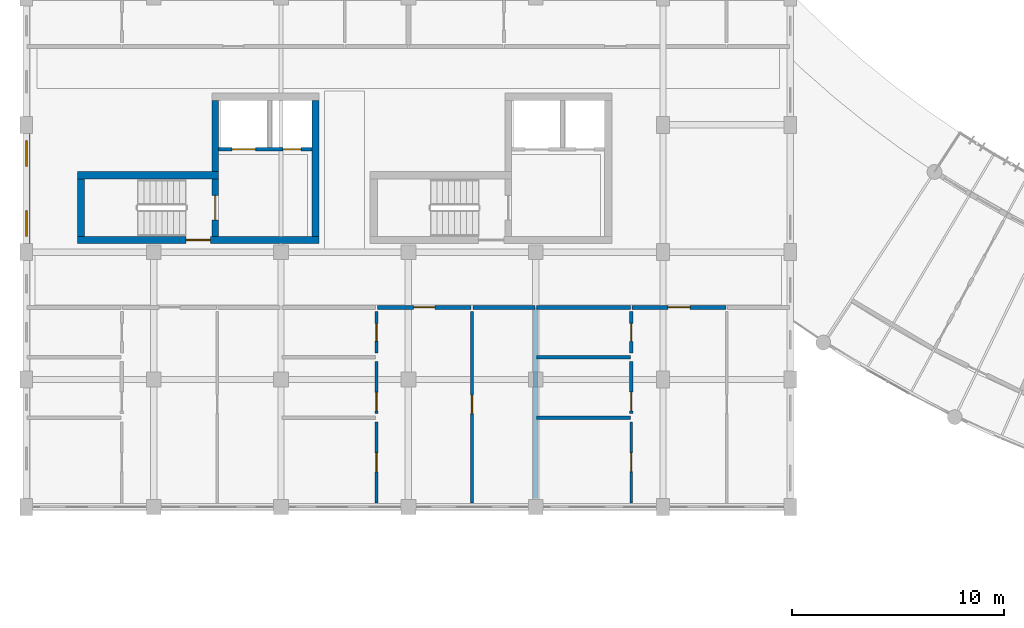
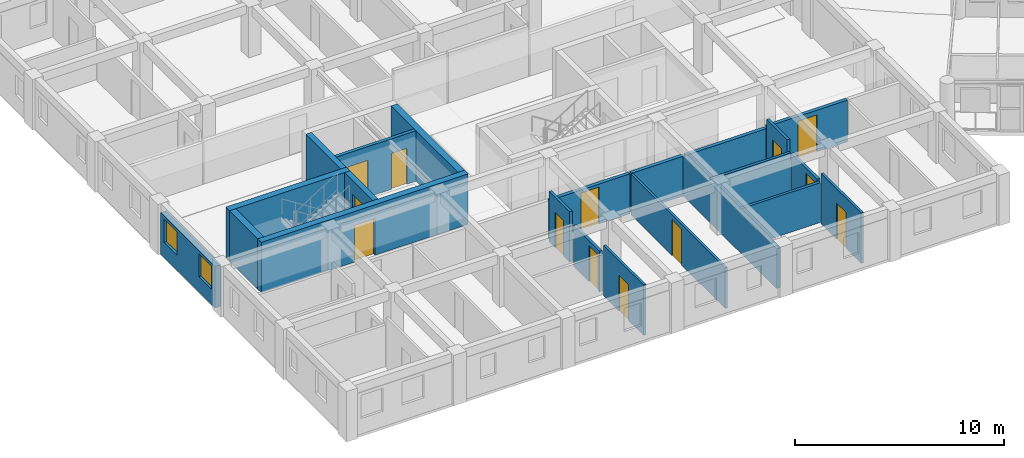
# One storey, part 87 of 137: 22 walls, 13 doors, 2 windows, 15 openings.
"""IFC4 building model written with IfcOpenShell, lengths in metres."""

import ifcopenshell
import ifcopenshell.guid

model = None  # the IFC model being written
_history = None  # IfcOwnerHistory: only IFC2X3 demands one
_inside = {}  # id of a spatial element -> (the spatial element, [elements in it])
_under = {}  # id of a project, library or spatial element -> (it, [spatial elements below it])
_declared = {}  # id of a project -> (the project, [libraries it declares])
_typed = {}  # id of a type object -> (the type object, [elements of that type])
_made_of = {}  # id of a material, layer set ... -> (it, [elements and type objects made of it])


def new_model(schema):
    """Start an empty IFC model of exactly this schema.

    Asked for "IFC4X3", IfcOpenShell would pick the latest addendum, in which some entities
    have other attributes; the version numbers below select the first issue.
    IFC2X3 requires an IfcOwnerHistory on every rooted entity: one is made here for all.
    """
    global model, _history
    if schema == "IFC4X3":
        model = ifcopenshell.file(schema_version=(4, 3, 0, 0))
    else:
        model = ifcopenshell.file(schema=schema)
    _inside.clear()
    _under.clear()
    _declared.clear()
    _typed.clear()
    _made_of.clear()
    _history = None
    if model.schema == "IFC2X3":
        org = make("IfcOrganization", Name="unknown")
        user = make(
            "IfcPersonAndOrganization",
            ThePerson=make("IfcPerson", FamilyName="unknown"),
            TheOrganization=org,
        )
        app = make(
            "IfcApplication",
            ApplicationDeveloper=org,
            Version="unknown",
            ApplicationFullName="unknown",
            ApplicationIdentifier="unknown",
        )
        _history = make(
            "IfcOwnerHistory",
            OwningUser=user,
            OwningApplication=app,
            ChangeAction="ADDED",
            CreationDate=0,
        )
    return model


def make(cls, **values):
    """One entity of the class cls with the attributes given. An attribute that is None is left unset."""
    return model.create_entity(
        cls, **{name: value for name, value in values.items() if value is not None}
    )


def rooted(cls, **values):
    """An entity with a GlobalId (a new one), such as an element, a storey or a relation."""
    return make(cls, GlobalId=ifcopenshell.guid.new(), OwnerHistory=_history, **values)


def si_unit(unit_type, name, prefix=None):
    """IfcSIUnit, for example si_unit("LENGTHUNIT", "METRE", prefix="MILLI")."""
    return make("IfcSIUnit", UnitType=unit_type, Prefix=prefix, Name=name)


def assignment(units):
    """IfcUnitAssignment: the units of a project."""
    return None if units is None else make("IfcUnitAssignment", Units=units)


def point(xyz):
    """IfcCartesianPoint."""
    return None if xyz is None else make("IfcCartesianPoint", Coordinates=xyz)


def direction(xyz):
    """IfcDirection."""
    return None if xyz is None else make("IfcDirection", DirectionRatios=xyz)


def frame(location, z_axis=None, x_axis=None):
    """IfcAxis2Placement3D, a coordinate frame: its origin and axes. An axis left out is left unset."""
    return make(
        "IfcAxis2Placement3D",
        Location=point(location),
        Axis=direction(z_axis),
        RefDirection=direction(x_axis),
    )


def frame_2d(location, x_axis=None):
    """IfcAxis2Placement2D, a coordinate frame in the plane: its origin and x axis."""
    return make(
        "IfcAxis2Placement2D", Location=point(location), RefDirection=direction(x_axis)
    )


def origin():
    """The frame at (0, 0, 0) with its axes left unset."""
    return frame((0.0, 0.0, 0.0))


def place(relative_to, where):
    """IfcLocalPlacement: puts the frame where relative to a parent placement (None: the world)."""
    return make(
        "IfcLocalPlacement", PlacementRelTo=relative_to, RelativePlacement=where
    )


def context(
    kind, dimensions, precision=None, world=None, true_north=None, identifier=None
):
    """IfcGeometricRepresentationContext, for example the 3D "Model" context."""
    return make(
        "IfcGeometricRepresentationContext",
        ContextIdentifier=identifier,
        ContextType=kind,
        CoordinateSpaceDimension=dimensions,
        Precision=precision,
        WorldCoordinateSystem=world,
        TrueNorth=true_north,
    )


def subcontext(parent, identifier, kind, view, scale=None):
    """IfcGeometricRepresentationSubContext, for example "Body" below "Model"."""
    return make(
        "IfcGeometricRepresentationSubContext",
        ContextIdentifier=identifier,
        ContextType=kind,
        ParentContext=parent,
        TargetScale=scale,
        TargetView=view,
    )


def project(units=None, contexts=None):
    """IfcProject with its units and contexts."""
    return rooted(
        "IfcProject",
        Name="project",
        RepresentationContexts=contexts,
        UnitsInContext=assignment(units),
    )


def spatial(cls, under=None, at=None, **own):
    """A site, building, storey or space (cls), placed at a placement, below another one or the project."""
    s = rooted(cls, ObjectPlacement=at, **own)
    if under is not None:
        _under.setdefault(under.id(), (under, []))[1].append(s)
    return s


def profile(cls, at=None, kind="AREA", **sizes):
    """A parametric profile (cls). Its sizes go by their IFC names, for example OverallWidth=200.0."""
    return make(cls, ProfileType=kind, Position=at, **sizes)


def rectangle(**sizes):
    """IfcRectangleProfileDef."""
    return profile("IfcRectangleProfileDef", **sizes)


def extrude(swept, where, along, depth):
    """IfcExtrudedAreaSolid: the profile swept, set in the frame where, extruded along a direction by depth."""
    return make(
        "IfcExtrudedAreaSolid",
        SweptArea=swept,
        Position=where,
        ExtrudedDirection=direction(along),
        Depth=depth,
    )


def shape(context_of_items, identifier, shape_type, items):
    """IfcShapeRepresentation: the items that make up one representation, for example the "Body"."""
    return make(
        "IfcShapeRepresentation",
        ContextOfItems=context_of_items,
        RepresentationIdentifier=identifier,
        RepresentationType=shape_type,
        Items=items,
    )


def material(Name=None, Category=None):
    """IfcMaterial."""
    return make("IfcMaterial", Name=Name, Category=Category)


def layer(
    of_material, thickness, ventilated=None, Name=None, Category=None, Priority=None
):
    """IfcMaterialLayer: one layer of a wall or slab, of a material (None: an air gap)."""
    return make(
        "IfcMaterialLayer",
        Material=of_material,
        LayerThickness=thickness,
        IsVentilated=ventilated,
        Name=Name,
        Category=Category,
        Priority=Priority,
    )


def layer_set(layers, Name=None):
    """IfcMaterialLayerSet."""
    return make("IfcMaterialLayerSet", MaterialLayers=layers, LayerSetName=Name)


def made_of(thing, what):
    """Note that an element or type object is made of a material, layer set ...; save() writes the relation."""
    if what is not None:
        _made_of.setdefault(what.id(), (what, []))[1].append(thing)
    return thing


def type_object(cls, material=None, **own):
    """A type object (cls), such as IfcWallType, which elements share."""
    return made_of(rooted(cls, **own), material)


def element(
    cls,
    number,
    at=None,
    inside=None,
    cuts=None,
    type_object=None,
    material=None,
    context=None,
    identifier="Body",
    shape_type=None,
    held_by="IfcProductDefinitionShape",
    body=None,
    shapes=None,
    **own,
):
    """One element of the class cls, such as IfcWall. Its Tag is "e" and its number.

    at: its placement. inside: the storey or other place that contains it. cuts: it is an
    opening in that element (IfcRelVoidsElement). A single representation is given by context,
    identifier, shape_type and body (its items); several are given by shapes. held_by: the class
    of the entity that holds the representations. save() writes the other relations.
    """
    e = rooted(cls, Tag="e%d" % number, ObjectPlacement=at, **own)
    if body is not None:
        shapes = [shape(context, identifier, shape_type, body)]
    if shapes is not None:
        e.Representation = make(held_by, Representations=shapes)
    if inside is not None:
        _inside.setdefault(inside.id(), (inside, []))[1].append(e)
    if cuts is not None:
        rooted(
            "IfcRelVoidsElement", RelatingBuildingElement=cuts, RelatedOpeningElement=e
        )
    if type_object is not None:
        _typed.setdefault(type_object.id(), (type_object, []))[1].append(e)
    return made_of(e, material)


def fill(opening, filler):
    """IfcRelFillsElement: the door or window that sits in an opening."""
    return rooted(
        "IfcRelFillsElement",
        RelatingOpeningElement=opening,
        RelatedBuildingElement=filler,
    )


def aggregate(whole, parts):
    """IfcRelAggregates: a whole, such as a stair, and the parts it consists of."""
    return rooted("IfcRelAggregates", RelatingObject=whole, RelatedObjects=parts)


def save(model, path):
    """Write the relations noted so far, then the file.

    IfcRelAggregates (storeys below a building ...), IfcRelContainedInSpatialStructure (elements
    in a storey), IfcRelDefinesByType, IfcRelAssociatesMaterial and IfcRelDeclares: one each for
    every whole, place, type object, material and project.
    """
    for whole, parts in _under.values():
        aggregate(whole, parts)
    for where, things in _inside.values():
        rooted(
            "IfcRelContainedInSpatialStructure",
            RelatedElements=things,
            RelatingStructure=where,
        )
    for kind, things in _typed.values():
        rooted("IfcRelDefinesByType", RelatedObjects=things, RelatingType=kind)
    for what, things in _made_of.values():
        rooted("IfcRelAssociatesMaterial", RelatedObjects=things, RelatingMaterial=what)
    for by, libraries in _declared.values():
        rooted("IfcRelDeclares", RelatingContext=by, RelatedDefinitions=libraries)
    model.write(path)


model = new_model("IFC4")

# Units and contexts
model_context = context("Model", 3, precision=1e-05, world=origin(), true_north=direction((0.0, 1.0)))
body_context = subcontext(model_context, "Body", "Model", "MODEL_VIEW")
ifc_project = project(units=[si_unit("LENGTHUNIT", "METRE"), si_unit("AREAUNIT", "SQUARE_METRE"), si_unit("VOLUMEUNIT", "CUBIC_METRE"), si_unit("PLANEANGLEUNIT", "RADIAN"), si_unit("MASSUNIT", "GRAM", prefix="KILO"), si_unit("POWERUNIT", "WATT"), si_unit("THERMODYNAMICTEMPERATUREUNIT", "KELVIN")], contexts=[model_context])

# Site, building, storey
site_placement = place(None, origin())
site = spatial("IfcSite", under=ifc_project, at=site_placement, CompositionType="ELEMENT")
building_placement = place(site_placement, origin())
building = spatial("IfcBuilding", under=site, at=building_placement, Name="Ruvembo Vaulted Housing Court", CompositionType="ELEMENT")
storey_placement = place(building_placement, frame((0.0, 0.0, 4.5)))
storey = spatial("IfcBuildingStorey", under=building, at=storey_placement, Name="L01", CompositionType="ELEMENT", Elevation=4.5)

# Wall, opening, door
ifc_material_1 = material(Name="Concrete C35/45", Category="concrete")
ifc_layer_1 = layer(ifc_material_1, 0.300048828125, Name="Concrete C35/45")
ifc_layer_set_1 = layer_set([ifc_layer_1], Name="Concrete C35/45")
wall_type_1 = type_object("IfcWallType", Name="WL-CORE-300", PredefinedType="SHEAR", material=ifc_layer_set_1)
wall_1_placement = place(storey_placement, frame((8.89990234375, 18.75, 0.0), z_axis=(0.0, 0.0, 1.0), x_axis=(0.0, 1.0, 0.0)))
wall_1 = element("IfcWall", 1, at=wall_1_placement, inside=storey, type_object=wall_type_1, Name="Core A1 L01 Stair-Lobby Shear Wall", PredefinedType="SHEAR", context=body_context, shape_type="SweptSolid", body=[
    extrude(rectangle(XDim=2.699951171875, YDim=0.300048828125, at=frame_2d((1.35009765625, 0.0))), origin(), (0.0, 0.0, 1.0), 2.945068359375),
])
opening_1_placement = place(wall_1_placement, frame((0.77490234375, 0.0, 0.0)))
opening_1 = element("IfcOpeningElement", 2, at=opening_1_placement, cuts=wall_1, Name="Opening SD1", PredefinedType="OPENING", context=body_context, shape_type="SweptSolid", body=[
    extrude(rectangle(XDim=1.14990234375, YDim=2.14990234375, at=frame_2d((0.574951171875, 1.074951171875))), frame((0.0, 0.159912109375, 0.0), z_axis=(0.0, -1.0, 0.0), x_axis=(1.0, 0.0, 0.0)), (0.0, 0.0, 1.0), 0.320068359375),
])
ifc_material_2 = material(Name="Galvanised Painted Steel", Category="steel")
door_type_1 = type_object("IfcDoorType", Name="DR-STAIR-1150x2150", OperationType="NOTDEFINED", PredefinedType="DOOR", material=ifc_material_2)
door_1_placement = place(opening_1_placement, origin())
door_1 = element("IfcDoor", 3, at=door_1_placement, inside=storey, type_object=door_type_1, Name="Stair ST-A1 L01 Fire Door", OperationType="SINGLE_SWING_RIGHT", OverallHeight=2.14990234375, OverallWidth=1.14990234375, PredefinedType="DOOR", context=body_context, shape_type="SweptSolid", body=[
    extrude(rectangle(XDim=1.14990234375, YDim=2.14990234375, at=frame_2d((0.574951171875, 1.074951171875))), frame((0.0, 0.02490234375, 0.0), z_axis=(0.0, -1.0, 0.0), x_axis=(1.0, 0.0, 0.0)), (0.0, 0.0, 1.0), 0.050048828125),
])
fill(opening_1, door_1)

# Wall
wall_2_placement = place(storey_placement, frame((8.89990234375, 21.800048828125, 0.0), z_axis=(0.0, 0.0, 1.0), x_axis=(0.0, 1.0, 0.0)))
element("IfcWall", 4, at=wall_2_placement, inside=storey, type_object=wall_type_1, Name="Core A1 L01 Upper West Shear Wall", PredefinedType="SHEAR", context=body_context, shape_type="SweptSolid", body=[
    extrude(rectangle(XDim=3.349853515625, YDim=0.300048828125, at=frame_2d((1.6748046875, 0.0))), origin(), (0.0, 0.0, 1.0), 2.945068359375),
])

# Wall, opening, door
ifc_layer_2 = layer(ifc_material_1, 0.35009765625, Name="Concrete C35/45")
ifc_layer_set_2 = layer_set([ifc_layer_2], Name="Concrete C35/45")
wall_type_2 = type_object("IfcWallType", Name="WL-CORE-350", PredefinedType="SHEAR", material=ifc_layer_set_2)
wall_3_placement = place(storey_placement, frame((2.39990234375, 18.574951171875, 0.0), z_axis=(0.0, 0.0, 1.0), x_axis=(1.0, 0.0, 0.0)))
wall_3 = element("IfcWall", 5, at=wall_3_placement, inside=storey, type_object=wall_type_2, Name="Core A1 L01 South Shear Wall", PredefinedType="SHEAR", context=body_context, shape_type="SweptSolid", body=[
    extrude(rectangle(XDim=11.400146484375, YDim=0.35009765625, at=frame_2d((5.7001953125, 0.0))), origin(), (0.0, 0.0, 1.0), 2.945068359375),
])
opening_2_placement = place(wall_3_placement, frame((5.125, 0.0, 0.0)))
opening_2 = element("IfcOpeningElement", 6, at=opening_2_placement, cuts=wall_3, Name="Opening LD0", PredefinedType="OPENING", context=body_context, shape_type="SweptSolid", body=[
    extrude(rectangle(XDim=1.14990234375, YDim=2.14990234375, at=frame_2d((0.574951171875, 1.074951171875))), frame((0.0, 0.18505859375, 0.0), z_axis=(0.0, -1.0, 0.0), x_axis=(1.0, 0.0, 0.0)), (0.0, 0.0, 1.0), 0.3701171875),
])
door_type_2 = type_object("IfcDoorType", Name="DR-LOB-1150x2150", OperationType="NOTDEFINED", PredefinedType="DOOR", material=ifc_material_2)
door_2_placement = place(opening_2_placement, origin())
door_2 = element("IfcDoor", 7, at=door_2_placement, inside=storey, type_object=door_type_2, Name="Core A1 L01 Lobby Fire Door", OperationType="SINGLE_SWING_LEFT", OverallHeight=2.14990234375, OverallWidth=1.14990234375, PredefinedType="DOOR", context=body_context, shape_type="SweptSolid", body=[
    extrude(rectangle(XDim=1.14990234375, YDim=2.14990234375, at=frame_2d((0.574951171875, 1.074951171875))), frame((0.0, 0.02490234375, 0.0), z_axis=(0.0, -1.0, 0.0), x_axis=(1.0, 0.0, 0.0)), (0.0, 0.0, 1.0), 0.050048828125),
])
fill(opening_2, door_2)

# Walls
wall_4_placement = place(storey_placement, frame((9.050048828125, 21.625, 0.0), z_axis=(0.0, 0.0, 1.0), x_axis=(-1.0, 0.0, 0.0)))
element("IfcWall", 8, at=wall_4_placement, inside=storey, type_object=wall_type_2, Name="Core A1 L01 Stair North Shear Wall", PredefinedType="SHEAR", context=body_context, shape_type="SweptSolid", body=[
    extrude(rectangle(XDim=6.650146484375, YDim=0.35009765625, at=frame_2d((3.3251953125, 0.0))), origin(), (0.0, 0.0, 1.0), 2.945068359375),
])
wall_5_placement = place(storey_placement, frame((2.574951171875, 21.449951171875, 0.0), z_axis=(0.0, 0.0, 1.0), x_axis=(0.0, -1.0, 0.0)))
element("IfcWall", 9, at=wall_5_placement, inside=storey, type_object=wall_type_2, Name="Core A1 L01 Stair West Shear Wall", PredefinedType="SHEAR", context=body_context, shape_type="SweptSolid", body=[
    extrude(rectangle(XDim=2.699951171875, YDim=0.35009765625, at=frame_2d((1.35009765625, 0.0))), origin(), (0.0, 0.0, 1.0), 2.945068359375),
])
wall_6_placement = place(storey_placement, frame((13.625, 18.75, 0.0), z_axis=(0.0, 0.0, 1.0), x_axis=(0.0, 1.0, 0.0)))
element("IfcWall", 10, at=wall_6_placement, inside=storey, type_object=wall_type_2, Name="Core A1 L01 East Shear Wall", PredefinedType="SHEAR", context=body_context, shape_type="SweptSolid", body=[
    extrude(rectangle(XDim=6.39990234375, YDim=0.35009765625, at=frame_2d((3.199951171875, 0.0))), origin(), (0.0, 0.0, 1.0), 2.945068359375),
])

# Wall, opening, door
ifc_material_3 = material(Name="Concrete Blockwork 190", Category="masonry")
ifc_layer_3 = layer(ifc_material_3, 0.18994140625, Name="Concrete Blockwork 190")
ifc_layer_set_3 = layer_set([ifc_layer_3], Name="Concrete Blockwork 190")
wall_type_3 = type_object("IfcWallType", Name="WL-CORR-190", PredefinedType="SOLIDWALL", material=ifc_layer_set_3)
wall_7_placement = place(storey_placement, frame((16.5400390625, 15.39990234375, 0.0), z_axis=(0.0, 0.0, 1.0), x_axis=(1.0, 0.0, 0.0)))
wall_7 = element("IfcWall", 11, at=wall_7_placement, inside=storey, type_object=wall_type_3, Name="L01 Flat A-L01-S2 Entrance WL-INT-L01-00190", PredefinedType="SOLIDWALL", context=body_context, shape_type="SweptSolid", body=[
    extrude(rectangle(XDim=4.419921875, YDim=0.18994140625, at=frame_2d((2.2099609375, 0.0))), origin(), (0.0, 0.0, 1.0), 2.326904296875),
])
opening_3_placement = place(wall_7_placement, frame((1.7099609375, 0.0, 0.0)))
opening_3 = element("IfcOpeningElement", 12, at=opening_3_placement, cuts=wall_7, Name="Opening FD1", PredefinedType="OPENING", context=body_context, shape_type="SweptSolid", body=[
    extrude(rectangle(XDim=1.0, YDim=2.14990234375, at=frame_2d((0.5, 1.074951171875))), frame((0.0, 0.10498046875, 0.0), z_axis=(0.0, -1.0, 0.0), x_axis=(1.0, 0.0, 0.0)), (0.0, 0.0, 1.0), 0.2099609375),
])
ifc_material_4 = material(Name="FSC Hardwood and Engineered Timber", Category="wood")
door_type_3 = type_object("IfcDoorType", Name="DR-FLAT-1000x2150", OperationType="NOTDEFINED", PredefinedType="DOOR", material=ifc_material_4)
door_3_placement = place(opening_3_placement, origin())
door_3 = element("IfcDoor", 13, at=door_3_placement, inside=storey, type_object=door_type_3, Name="L01 Flat A-L01-S2 Entrance Door DR-INT-L01-00093", OperationType="SINGLE_SWING_LEFT", OverallHeight=2.14990234375, OverallWidth=1.0, PredefinedType="DOOR", context=body_context, shape_type="SweptSolid", body=[
    extrude(rectangle(XDim=1.0, YDim=2.14990234375, at=frame_2d((0.5, 1.074951171875))), frame((0.0, 0.02490234375, 0.0), z_axis=(0.0, -1.0, 0.0), x_axis=(1.0, 0.0, 0.0)), (0.0, 0.0, 1.0), 0.050048828125),
])
fill(opening_3, door_3)

# Walls
wall_8_placement = place(storey_placement, frame((21.0400390625, 15.39990234375, 0.0), z_axis=(0.0, 0.0, 1.0), x_axis=(1.0, 0.0, 0.0)))
element("IfcWall", 14, at=wall_8_placement, inside=storey, type_object=wall_type_3, Name="L01 Flat A-L01-S2 Corridor Wall 2 WL-INT-L01-00196", PredefinedType="SOLIDWALL", context=body_context, shape_type="SweptSolid", body=[
    extrude(rectangle(XDim=2.919921875, YDim=0.18994140625, at=frame_2d((1.4599609375, 0.0))), origin(), (0.0, 0.0, 1.0), 2.326904296875),
])
wall_9_placement = place(storey_placement, frame((24.0400390625, 15.39990234375, 0.0), z_axis=(0.0, 0.0, 1.0), x_axis=(1.0, 0.0, 0.0)))
element("IfcWall", 15, at=wall_9_placement, inside=storey, type_object=wall_type_3, Name="L01 Flat A-L01-S3 Corridor Wall WL-INT-L01-00198", PredefinedType="SOLIDWALL", context=body_context, shape_type="SweptSolid", body=[
    extrude(rectangle(XDim=4.419921875, YDim=0.18994140625, at=frame_2d((2.2099609375, 0.0))), origin(), (0.0, 0.0, 1.0), 2.326904296875),
])

# Wall, opening, door
wall_10_placement = place(storey_placement, frame((28.5400390625, 15.39990234375, 0.0), z_axis=(0.0, 0.0, 1.0), x_axis=(1.0, 0.0, 0.0)))
wall_10 = element("IfcWall", 16, at=wall_10_placement, inside=storey, type_object=wall_type_3, Name="L01 Flat A-L01-S3 Entrance WL-INT-L01-00199", PredefinedType="SOLIDWALL", context=body_context, shape_type="SweptSolid", body=[
    extrude(rectangle(XDim=4.419921875, YDim=0.18994140625, at=frame_2d((2.2099609375, 0.0))), origin(), (0.0, 0.0, 1.0), 2.427001953125),
])
opening_4_placement = place(wall_10_placement, frame((1.68505859375, 0.0, 0.0)))
opening_4 = element("IfcOpeningElement", 17, at=opening_4_placement, cuts=wall_10, Name="Opening FD3", PredefinedType="OPENING", context=body_context, shape_type="SweptSolid", body=[
    extrude(rectangle(XDim=1.050048828125, YDim=2.14990234375, at=frame_2d((0.52490234375, 1.074951171875))), frame((0.0, 0.10498046875, 0.0), z_axis=(0.0, -1.0, 0.0), x_axis=(1.0, 0.0, 0.0)), (0.0, 0.0, 1.0), 0.2099609375),
])
door_type_4 = type_object("IfcDoorType", Name="DR-FLAT-1050x2150", OperationType="NOTDEFINED", PredefinedType="DOOR", material=ifc_material_4)
door_4_placement = place(opening_4_placement, origin())
door_4 = element("IfcDoor", 18, at=door_4_placement, inside=storey, type_object=door_type_4, Name="L01 Flat A-L01-S3 Entrance Door DR-INT-L01-00098", OperationType="SINGLE_SWING_RIGHT", OverallHeight=2.14990234375, OverallWidth=1.050048828125, PredefinedType="DOOR", context=body_context, shape_type="SweptSolid", body=[
    extrude(rectangle(XDim=1.050048828125, YDim=2.14990234375, at=frame_2d((0.52490234375, 1.074951171875))), frame((0.0, 0.02490234375, 0.0), z_axis=(0.0, -1.0, 0.0), x_axis=(1.0, 0.0, 0.0)), (0.0, 0.0, 1.0), 0.050048828125),
])
fill(opening_4, door_4)

# Wall
ifc_material_5 = material(Name="Acoustic Masonry Demising 230", Category="masonry")
ifc_layer_4 = layer(ifc_material_5, 0.22998046875, Name="Acoustic Masonry Demising 230")
ifc_layer_set_4 = layer_set([ifc_layer_4], Name="Acoustic Masonry Demising 230")
wall_type_4 = type_object("IfcWallType", Name="WL-DEM-230", PredefinedType="SOLIDWALL", material=ifc_layer_set_4)
wall_11_placement = place(storey_placement, frame((24.0, 6.389892578125, 0.0), z_axis=(0.0, 0.0, 1.0), x_axis=(0.0, 1.0, 0.0)))
element("IfcWall", 19, at=wall_11_placement, inside=storey, type_object=wall_type_4, Name="L01 Demising A-L01-S2 WL-INT-L01-00188", PredefinedType="SOLIDWALL", context=body_context, shape_type="SweptSolid", body=[
    extrude(rectangle(XDim=8.97021484375, YDim=0.22998046875, at=frame_2d((4.485107421875, 0.0))), origin(), (0.0, 0.0, 1.0), 2.326904296875),
])

# Wall, openings, windows
ifc_material_6 = material(Name="Rendered Masonry 320", Category="masonry")
ifc_layer_5 = layer(ifc_material_6, 0.320068359375, Name="Rendered Masonry 320")
ifc_layer_set_5 = layer_set([ifc_layer_5], Name="Rendered Masonry 320")
wall_type_5 = type_object("IfcWallType", Name="WL-EXT-320", PredefinedType="STANDARD", material=ifc_layer_set_5)
wall_12_placement = place(storey_placement, frame((0.0, 23.60009765625, 0.0), z_axis=(0.0, 0.0, 1.0), x_axis=(0.0, -1.0, 0.0)))
wall_12 = element("IfcWall", 20, at=wall_12_placement, inside=storey, type_object=wall_type_5, Name="Block A L01 Exterior Wall WEST #4", PredefinedType="STANDARD", context=body_context, shape_type="SweptSolid", body=[
    extrude(rectangle(XDim=5.2001953125, YDim=0.320068359375, at=frame_2d((2.60009765625, 0.0))), origin(), (0.0, 0.0, 1.0), 2.427001953125),
])
opening_5_placement = place(wall_12_placement, frame((0.35009765625, 0.0, 0.89990234375)))
opening_5 = element("IfcOpeningElement", 21, at=opening_5_placement, cuts=wall_12, Name="Opening W12", PredefinedType="OPENING", context=body_context, shape_type="SweptSolid", body=[
    extrude(rectangle(XDim=1.199951171875, YDim=1.35009765625, at=frame_2d((0.60009765625, 0.675048828125))), frame((0.0, 0.169921875, 0.0), z_axis=(0.0, -1.0, 0.0), x_axis=(1.0, 0.0, 0.0)), (0.0, 0.0, 1.0), 0.340087890625),
])
opening_6_placement = place(wall_12_placement, frame((3.64990234375, 0.0, 0.89990234375)))
opening_6 = element("IfcOpeningElement", 22, at=opening_6_placement, cuts=wall_12, Name="Opening W12", PredefinedType="OPENING", context=body_context, shape_type="SweptSolid", body=[
    extrude(rectangle(XDim=1.199951171875, YDim=1.35009765625, at=frame_2d((0.60009765625, 0.675048828125))), frame((0.0, 0.169921875, 0.0), z_axis=(0.0, -1.0, 0.0), x_axis=(1.0, 0.0, 0.0)), (0.0, 0.0, 1.0), 0.340087890625),
])
ifc_material_7 = material(Name="Double Solar-Control Glazing in Aluminium Frame", Category="aluminium")
window_type = type_object("IfcWindowType", Name="WIN-1200x1350", PartitioningType="SINGLE_PANEL", PredefinedType="WINDOW", material=ifc_material_7)
window_1_placement = place(opening_5_placement, origin())
window_1 = element("IfcWindow", 23, at=window_1_placement, inside=storey, type_object=window_type, Name="Block A L01 Window #77", OverallHeight=1.35009765625, OverallWidth=1.199951171875, PartitioningType="SINGLE_PANEL", PredefinedType="WINDOW", context=body_context, shape_type="SweptSolid", body=[
    extrude(rectangle(XDim=1.199951171875, YDim=1.35009765625, at=frame_2d((0.60009765625, 0.675048828125))), frame((0.0, 0.030029296875, 0.0), z_axis=(0.0, -1.0, 0.0), x_axis=(1.0, 0.0, 0.0)), (0.0, 0.0, 1.0), 0.06005859375),
])
fill(opening_5, window_1)
window_2_placement = place(opening_6_placement, origin())
window_2 = element("IfcWindow", 24, at=window_2_placement, inside=storey, type_object=window_type, Name="Block A L01 Window #78", OverallHeight=1.35009765625, OverallWidth=1.199951171875, PartitioningType="SINGLE_PANEL", PredefinedType="WINDOW", context=body_context, shape_type="SweptSolid", body=[
    extrude(rectangle(XDim=1.199951171875, YDim=1.35009765625, at=frame_2d((0.60009765625, 0.675048828125))), frame((0.0, 0.030029296875, 0.0), z_axis=(0.0, -1.0, 0.0), x_axis=(1.0, 0.0, 0.0)), (0.0, 0.0, 1.0), 0.06005859375),
])
fill(opening_6, window_2)

# Wall, opening, door
ifc_material_8 = material(Name="Plasterboard Stud Partition 125", Category="gypsum")
ifc_layer_6 = layer(ifc_material_8, 0.125, Name="Plasterboard Stud Partition 125")
ifc_layer_set_6 = layer_set([ifc_layer_6], Name="Plasterboard Stud Partition 125")
wall_type_6 = type_object("IfcWallType", Name="WL-PART-125", PredefinedType="PARTITIONING", material=ifc_layer_set_6)
wall_13_placement = place(storey_placement, frame((16.5, 6.18994140625, 0.0), z_axis=(0.0, 0.0, 1.0), x_axis=(0.0, 1.0, 0.0)))
wall_13 = element("IfcWall", 25, at=wall_13_placement, inside=storey, type_object=wall_type_6, Name="L01 Flat A-L01-S2 Bedroom 1 WL-INT-L01-00191", PredefinedType="PARTITIONING", context=body_context, shape_type="SweptSolid", body=[
    extrude(rectangle(XDim=3.820068359375, YDim=0.125, at=frame_2d((1.91015625, 0.0))), origin(), (0.0, 0.0, 1.0), 2.945068359375),
])
opening_7_placement = place(wall_13_placement, frame((1.4599609375, 0.0, 0.0)))
opening_7 = element("IfcOpeningElement", 26, at=opening_7_placement, cuts=wall_13, Name="Opening ID1", PredefinedType="OPENING", context=body_context, shape_type="SweptSolid", body=[
    extrude(rectangle(XDim=0.89990234375, YDim=2.10009765625, at=frame_2d((0.449951171875, 1.050048828125))), frame((0.0, 0.072509765625, 0.0), z_axis=(0.0, -1.0, 0.0), x_axis=(1.0, 0.0, 0.0)), (0.0, 0.0, 1.0), 0.14501953125),
])
door_type_5 = type_object("IfcDoorType", Name="DR-ROOM-0900x2100", OperationType="NOTDEFINED", PredefinedType="DOOR", material=ifc_material_4)
door_5_placement = place(opening_7_placement, origin())
door_5 = element("IfcDoor", 27, at=door_5_placement, inside=storey, type_object=door_type_5, Name="L01 Flat A-L01-S2 Bedroom 1 Door DR-INT-L01-00094", OperationType="SINGLE_SWING_RIGHT", OverallHeight=2.10009765625, OverallWidth=0.89990234375, PredefinedType="DOOR", context=body_context, shape_type="SweptSolid", body=[
    extrude(rectangle(XDim=0.89990234375, YDim=2.10009765625, at=frame_2d((0.449951171875, 1.050048828125))), frame((0.0, 0.02490234375, 0.0), z_axis=(0.0, -1.0, 0.0), x_axis=(1.0, 0.0, 0.0)), (0.0, 0.0, 1.0), 0.050048828125),
])
fill(opening_7, door_5)

wall_14_placement = place(storey_placement, frame((21.0, 6.18994140625, 0.0), z_axis=(0.0, 0.0, 1.0), x_axis=(0.0, 1.0, 0.0)))
wall_14 = element("IfcWall", 28, at=wall_14_placement, inside=storey, type_object=wall_type_6, Name="L01 Flat A-L01-S2 Bedroom 2 WL-INT-L01-00197", PredefinedType="PARTITIONING", context=body_context, shape_type="SweptSolid", body=[
    extrude(rectangle(XDim=9.02001953125, YDim=0.125, at=frame_2d((4.510009765625, 0.0))), origin(), (0.0, 0.0, 1.0), 2.376953125),
])
opening_8_placement = place(wall_14_placement, frame((4.199951171875, 0.0, 0.0)))
opening_8 = element("IfcOpeningElement", 29, at=opening_8_placement, cuts=wall_14, Name="Opening ID3", PredefinedType="OPENING", context=body_context, shape_type="SweptSolid", body=[
    extrude(rectangle(XDim=0.8798828125, YDim=2.10009765625, at=frame_2d((0.43994140625, 1.050048828125))), frame((0.0, 0.072509765625, 0.0), z_axis=(0.0, -1.0, 0.0), x_axis=(1.0, 0.0, 0.0)), (0.0, 0.0, 1.0), 0.14501953125),
])
door_type_6 = type_object("IfcDoorType", Name="DR-ROOM-0880x2100", OperationType="NOTDEFINED", PredefinedType="DOOR", material=ifc_material_4)
door_6_placement = place(opening_8_placement, origin())
door_6 = element("IfcDoor", 30, at=door_6_placement, inside=storey, type_object=door_type_6, Name="L01 Flat A-L01-S2 Bedroom 2 Door DR-INT-L01-00097", OperationType="SINGLE_SWING_LEFT", OverallHeight=2.10009765625, OverallWidth=0.8798828125, PredefinedType="DOOR", context=body_context, shape_type="SweptSolid", body=[
    extrude(rectangle(XDim=0.8798828125, YDim=2.10009765625, at=frame_2d((0.43994140625, 1.050048828125))), frame((0.0, 0.02490234375, 0.0), z_axis=(0.0, -1.0, 0.0), x_axis=(1.0, 0.0, 0.0)), (0.0, 0.0, 1.0), 0.050048828125),
])
fill(opening_8, door_6)

wall_15_placement = place(storey_placement, frame((28.5, 6.18994140625, 0.0), z_axis=(0.0, 0.0, 1.0), x_axis=(0.0, 1.0, 0.0)))
wall_15 = element("IfcWall", 31, at=wall_15_placement, inside=storey, type_object=wall_type_6, Name="L01 Flat A-L01-S3 Bedroom 1 WL-INT-L01-00200", PredefinedType="PARTITIONING", context=body_context, shape_type="SweptSolid", body=[
    extrude(rectangle(XDim=3.820068359375, YDim=0.125, at=frame_2d((1.91015625, 0.0))), origin(), (0.0, 0.0, 1.0), 2.945068359375),
])
opening_9_placement = place(wall_15_placement, frame((1.469970703125, 0.0, 0.0)))
opening_9 = element("IfcOpeningElement", 32, at=opening_9_placement, cuts=wall_15, Name="Opening ID3", PredefinedType="OPENING", context=body_context, shape_type="SweptSolid", body=[
    extrude(rectangle(XDim=0.8798828125, YDim=2.10009765625, at=frame_2d((0.43994140625, 1.050048828125))), frame((0.0, 0.072509765625, 0.0), z_axis=(0.0, -1.0, 0.0), x_axis=(1.0, 0.0, 0.0)), (0.0, 0.0, 1.0), 0.14501953125),
])
door_7_placement = place(opening_9_placement, origin())
door_7 = element("IfcDoor", 33, at=door_7_placement, inside=storey, type_object=door_type_6, Name="L01 Flat A-L01-S3 Bedroom 1 Door DR-INT-L01-00099", OperationType="SINGLE_SWING_LEFT", OverallHeight=2.10009765625, OverallWidth=0.8798828125, PredefinedType="DOOR", context=body_context, shape_type="SweptSolid", body=[
    extrude(rectangle(XDim=0.8798828125, YDim=2.10009765625, at=frame_2d((0.43994140625, 1.050048828125))), frame((0.0, 0.02490234375, 0.0), z_axis=(0.0, -1.0, 0.0), x_axis=(1.0, 0.0, 0.0)), (0.0, 0.0, 1.0), 0.050048828125),
])
fill(opening_9, door_7)

ifc_material_9 = material(Name="Moisture-Resistant Wet Partition 150", Category="gypsum")
ifc_layer_7 = layer(ifc_material_9, 0.14990234375, Name="Moisture-Resistant Wet Partition 150")
ifc_layer_set_7 = layer_set([ifc_layer_7], Name="Moisture-Resistant Wet Partition 150")
wall_type_7 = type_object("IfcWallType", Name="WL-PART-150", PredefinedType="PARTITIONING", material=ifc_layer_set_7)
wall_16_placement = place(storey_placement, frame((16.5, 13.239990234375, 0.0), z_axis=(0.0, 0.0, 1.0), x_axis=(0.0, 1.0, 0.0)))
wall_16 = element("IfcWall", 34, at=wall_16_placement, inside=storey, type_object=wall_type_7, Name="L01 Flat A-L01-S2 Bathroom WL-INT-L01-00193", PredefinedType="PARTITIONING", context=body_context, shape_type="SweptSolid", body=[
    extrude(rectangle(XDim=1.969970703125, YDim=0.14990234375, at=frame_2d((0.98486328125, 0.0))), origin(), (0.0, 0.0, 1.0), 2.945068359375),
])
opening_10_placement = place(wall_16_placement, frame((0.574951171875, 0.0, 0.0)))
opening_10 = element("IfcOpeningElement", 35, at=opening_10_placement, cuts=wall_16, Name="Opening ID4", PredefinedType="OPENING", context=body_context, shape_type="SweptSolid", body=[
    extrude(rectangle(XDim=0.820068359375, YDim=2.080078125, at=frame_2d((0.41015625, 1.0400390625))), frame((0.0, 0.0849609375, 0.0), z_axis=(0.0, -1.0, 0.0), x_axis=(1.0, 0.0, 0.0)), (0.0, 0.0, 1.0), 0.169921875),
])
door_type_7 = type_object("IfcDoorType", Name="DR-WET-0820x2080", OperationType="NOTDEFINED", PredefinedType="DOOR", material=ifc_material_4)
door_8_placement = place(opening_10_placement, origin())
door_8 = element("IfcDoor", 36, at=door_8_placement, inside=storey, type_object=door_type_7, Name="L01 Flat A-L01-S2 Bathroom Door DR-INT-L01-00096", OperationType="SINGLE_SWING_RIGHT", OverallHeight=2.080078125, OverallWidth=0.820068359375, PredefinedType="DOOR", context=body_context, shape_type="SweptSolid", body=[
    extrude(rectangle(XDim=0.820068359375, YDim=2.080078125, at=frame_2d((0.41015625, 1.0400390625))), frame((0.0, 0.02490234375, 0.0), z_axis=(0.0, -1.0, 0.0), x_axis=(1.0, 0.0, 0.0)), (0.0, 0.0, 1.0), 0.050048828125),
])
fill(opening_10, door_8)

wall_17_placement = place(storey_placement, frame((28.5, 13.239990234375, 0.0), z_axis=(0.0, 0.0, 1.0), x_axis=(0.0, 1.0, 0.0)))
wall_17 = element("IfcWall", 37, at=wall_17_placement, inside=storey, type_object=wall_type_7, Name="L01 Flat A-L01-S3 Bathroom WL-INT-L01-00202", PredefinedType="PARTITIONING", context=body_context, shape_type="SweptSolid", body=[
    extrude(rectangle(XDim=1.969970703125, YDim=0.14990234375, at=frame_2d((0.98486328125, 0.0))), origin(), (0.0, 0.0, 1.0), 2.945068359375),
])
opening_11_placement = place(wall_17_placement, frame((0.56005859375, 0.0, 0.0)))
opening_11 = element("IfcOpeningElement", 38, at=opening_11_placement, cuts=wall_17, Name="Opening ID2", PredefinedType="OPENING", context=body_context, shape_type="SweptSolid", body=[
    extrude(rectangle(XDim=0.85009765625, YDim=2.10009765625, at=frame_2d((0.425048828125, 1.050048828125))), frame((0.0, 0.0849609375, 0.0), z_axis=(0.0, -1.0, 0.0), x_axis=(1.0, 0.0, 0.0)), (0.0, 0.0, 1.0), 0.169921875),
])
door_type_8 = type_object("IfcDoorType", Name="DR-WET-0850x2100", OperationType="NOTDEFINED", PredefinedType="DOOR", material=ifc_material_4)
door_9_placement = place(opening_11_placement, origin())
door_9 = element("IfcDoor", 39, at=door_9_placement, inside=storey, type_object=door_type_8, Name="L01 Flat A-L01-S3 Bathroom Door DR-INT-L01-00101", OperationType="SINGLE_SWING_LEFT", OverallHeight=2.10009765625, OverallWidth=0.85009765625, PredefinedType="DOOR", context=body_context, shape_type="SweptSolid", body=[
    extrude(rectangle(XDim=0.85009765625, YDim=2.10009765625, at=frame_2d((0.425048828125, 1.050048828125))), frame((0.0, 0.02490234375, 0.0), z_axis=(0.0, -1.0, 0.0), x_axis=(1.0, 0.0, 0.0)), (0.0, 0.0, 1.0), 0.050048828125),
])
fill(opening_11, door_9)

# Walls
for number, where, z_axis, x_axis, name in (
    (40, (24.0400390625, 10.199951171875, 0.0), (0.0, 0.0, 1.0), (1.0, 0.0, 0.0), "L01 Flat A-L01-S3 Wet Wall 1 WL-INT-L01-00203"),
    (41, (24.0400390625, 13.050048828125, 0.0), (0.0, 0.0, 1.0), (1.0, 0.0, 0.0), "L01 Flat A-L01-S3 Wet Wall 2 WL-INT-L01-00204"),
):
    element("IfcWall", number, at=place(storey_placement, frame(where, z_axis=z_axis, x_axis=x_axis)), inside=storey, type_object=wall_type_7, Name=name, PredefinedType="PARTITIONING", context=body_context, shape_type="SweptSolid", body=[
        extrude(rectangle(XDim=4.419921875, YDim=0.14990234375, at=frame_2d((2.2099609375, 0.0))), origin(), (0.0, 0.0, 1.0), 2.326904296875),
    ])

# Wall, opening, door
ifc_material_10 = material(Name="Acoustic Service Chase Wall 160", Category="gypsum")
ifc_layer_8 = layer(ifc_material_10, 0.159912109375, Name="Acoustic Service Chase Wall 160")
ifc_layer_set_8 = layer_set([ifc_layer_8], Name="Acoustic Service Chase Wall 160")
wall_type_8 = type_object("IfcWallType", Name="WL-PLUMB-160", PredefinedType="PLUMBINGWALL", material=ifc_layer_set_8)
wall_18_placement = place(storey_placement, frame((16.5, 10.389892578125, 0.0), z_axis=(0.0, 0.0, 1.0), x_axis=(0.0, 1.0, 0.0)))
wall_18 = element("IfcWall", 42, at=wall_18_placement, inside=storey, type_object=wall_type_8, Name="L01 Flat A-L01-S2 Kitchen WL-INT-L01-00192", PredefinedType="PLUMBINGWALL", context=body_context, shape_type="SweptSolid", body=[
    extrude(rectangle(XDim=2.47021484375, YDim=0.159912109375, at=frame_2d((1.235107421875, 0.0))), origin(), (0.0, 0.0, 1.0), 2.376953125),
])
opening_12_placement = place(wall_18_placement, frame((0.1298828125, 0.0, 0.0)))
opening_12 = element("IfcOpeningElement", 43, at=opening_12_placement, cuts=wall_18, Name="Opening ID3", PredefinedType="OPENING", context=body_context, shape_type="SweptSolid", body=[
    extrude(rectangle(XDim=0.8798828125, YDim=2.10009765625, at=frame_2d((0.43994140625, 1.050048828125))), frame((0.0, 0.08984375, 0.0), z_axis=(0.0, -1.0, 0.0), x_axis=(1.0, 0.0, 0.0)), (0.0, 0.0, 1.0), 0.179931640625),
])
door_10_placement = place(opening_12_placement, origin())
door_10 = element("IfcDoor", 44, at=door_10_placement, inside=storey, type_object=door_type_6, Name="L01 Flat A-L01-S2 Kitchen Door DR-INT-L01-00095", OperationType="SINGLE_SWING_LEFT", OverallHeight=2.10009765625, OverallWidth=0.8798828125, PredefinedType="DOOR", context=body_context, shape_type="SweptSolid", body=[
    extrude(rectangle(XDim=0.8798828125, YDim=2.10009765625, at=frame_2d((0.43994140625, 1.050048828125))), frame((0.0, 0.02490234375, 0.0), z_axis=(0.0, -1.0, 0.0), x_axis=(1.0, 0.0, 0.0)), (0.0, 0.0, 1.0), 0.050048828125),
])
fill(opening_12, door_10)

wall_19_placement = place(storey_placement, frame((28.5, 10.389892578125, 0.0), z_axis=(0.0, 0.0, 1.0), x_axis=(0.0, 1.0, 0.0)))
wall_19 = element("IfcWall", 45, at=wall_19_placement, inside=storey, type_object=wall_type_8, Name="L01 Flat A-L01-S3 Kitchen WL-INT-L01-00201", PredefinedType="PLUMBINGWALL", context=body_context, shape_type="SweptSolid", body=[
    extrude(rectangle(XDim=2.47021484375, YDim=0.159912109375, at=frame_2d((1.235107421875, 0.0))), origin(), (0.0, 0.0, 1.0), 2.376953125),
])
opening_13_placement = place(wall_19_placement, frame((0.1298828125, 0.0, 0.0)))
opening_13 = element("IfcOpeningElement", 46, at=opening_13_placement, cuts=wall_19, Name="Opening ID1", PredefinedType="OPENING", context=body_context, shape_type="SweptSolid", body=[
    extrude(rectangle(XDim=0.89990234375, YDim=2.10009765625, at=frame_2d((0.449951171875, 1.050048828125))), frame((0.0, 0.08984375, 0.0), z_axis=(0.0, -1.0, 0.0), x_axis=(1.0, 0.0, 0.0)), (0.0, 0.0, 1.0), 0.179931640625),
])
door_11_placement = place(opening_13_placement, origin())
door_11 = element("IfcDoor", 47, at=door_11_placement, inside=storey, type_object=door_type_5, Name="L01 Flat A-L01-S3 Kitchen Door DR-INT-L01-00100", OperationType="SINGLE_SWING_RIGHT", OverallHeight=2.10009765625, OverallWidth=0.89990234375, PredefinedType="DOOR", context=body_context, shape_type="SweptSolid", body=[
    extrude(rectangle(XDim=0.89990234375, YDim=2.10009765625, at=frame_2d((0.449951171875, 1.050048828125))), frame((0.0, 0.02490234375, 0.0), z_axis=(0.0, -1.0, 0.0), x_axis=(1.0, 0.0, 0.0)), (0.0, 0.0, 1.0), 0.050048828125),
])
fill(opening_13, door_11)

# Wall, openings, doors
ifc_material_11 = material(Name="Fire-Rated Masonry Shaft 180", Category="masonry")
ifc_layer_9 = layer(ifc_material_11, 0.179931640625, Name="Fire-Rated Masonry Shaft 180")
ifc_layer_set_9 = layer_set([ifc_layer_9], Name="Fire-Rated Masonry Shaft 180")
wall_type_9 = type_object("IfcWallType", Name="WL-SHAFT-180", PredefinedType="SOLIDWALL", material=ifc_layer_set_9)
wall_20_placement = place(storey_placement, frame((9.050048828125, 22.85009765625, 0.0), z_axis=(0.0, 0.0, 1.0), x_axis=(1.0, 0.0, 0.0)))
wall_20 = element("IfcWall", 48, at=wall_20_placement, inside=storey, type_object=wall_type_9, Name="Core A1 L01 Lift and Riser Front Wall", PredefinedType="SOLIDWALL", context=body_context, shape_type="SweptSolid", body=[
    extrude(rectangle(XDim=4.39990234375, YDim=0.179931640625, at=frame_2d((2.199951171875, 0.0))), origin(), (0.0, 0.0, 1.0), 2.945068359375),
])
opening_14_placement = place(wall_20_placement, frame((0.64990234375, 0.0, 0.0)))
opening_14 = element("IfcOpeningElement", 49, at=opening_14_placement, cuts=wall_20, Name="Opening LD-FL-A1-L01", PredefinedType="OPENING", context=body_context, shape_type="SweptSolid", body=[
    extrude(rectangle(XDim=1.10009765625, YDim=2.14990234375, at=frame_2d((0.550048828125, 1.074951171875))), frame((0.0, 0.099853515625, 0.0), z_axis=(0.0, -1.0, 0.0), x_axis=(1.0, 0.0, 0.0)), (0.0, 0.0, 1.0), 0.199951171875),
])
opening_15_placement = place(wall_20_placement, frame((3.050048828125, 0.0, 0.0)))
opening_15 = element("IfcOpeningElement", 50, at=opening_15_placement, cuts=wall_20, Name="Opening RD1", PredefinedType="OPENING", context=body_context, shape_type="SweptSolid", body=[
    extrude(rectangle(XDim=0.85009765625, YDim=2.10009765625, at=frame_2d((0.425048828125, 1.050048828125))), frame((0.0, 0.099853515625, 0.0), z_axis=(0.0, -1.0, 0.0), x_axis=(1.0, 0.0, 0.0)), (0.0, 0.0, 1.0), 0.199951171875),
])
ifc_material_12 = material(Name="Brushed Stainless Steel 304", Category="steel")
door_type_9 = type_object("IfcDoorType", Name="DR-LIFT-1100x2150", OperationType="NOTDEFINED", PredefinedType="DOOR", material=ifc_material_12)
door_12_placement = place(opening_14_placement, origin())
door_12 = element("IfcDoor", 51, at=door_12_placement, inside=storey, type_object=door_type_9, Name="Lift FL-A1 L01 Sliding Landing Door", OperationType="SLIDING_TO_LEFT", OverallHeight=2.14990234375, OverallWidth=1.10009765625, PredefinedType="DOOR", context=body_context, shape_type="SweptSolid", body=[
    extrude(rectangle(XDim=1.10009765625, YDim=2.14990234375, at=frame_2d((0.550048828125, 1.074951171875))), frame((0.0, 0.02490234375, 0.0), z_axis=(0.0, -1.0, 0.0), x_axis=(1.0, 0.0, 0.0)), (0.0, 0.0, 1.0), 0.050048828125),
])
fill(opening_14, door_12)
door_type_10 = type_object("IfcDoorType", Name="DR-RISER-0850x2100", OperationType="NOTDEFINED", PredefinedType="DOOR", material=ifc_material_2)
door_13_placement = place(opening_15_placement, frame((0.85009765625, 0.0, 0.0), z_axis=(0.0, 0.0, 1.0), x_axis=(-1.0, 0.0, 0.0)))
door_13 = element("IfcDoor", 52, at=door_13_placement, inside=storey, type_object=door_type_10, Name="Core A1 L01 Service Riser Door", OperationType="SINGLE_SWING_LEFT", OverallHeight=2.10009765625, OverallWidth=0.85009765625, PredefinedType="DOOR", context=body_context, shape_type="SweptSolid", body=[
    extrude(rectangle(XDim=0.85009765625, YDim=2.10009765625, at=frame_2d((0.425048828125, 1.050048828125))), frame((0.0, 0.02490234375, 0.0), z_axis=(0.0, -1.0, 0.0), x_axis=(1.0, 0.0, 0.0)), (0.0, 0.0, 1.0), 0.050048828125),
])
fill(opening_15, door_13)

save(model, "model.ifc")
